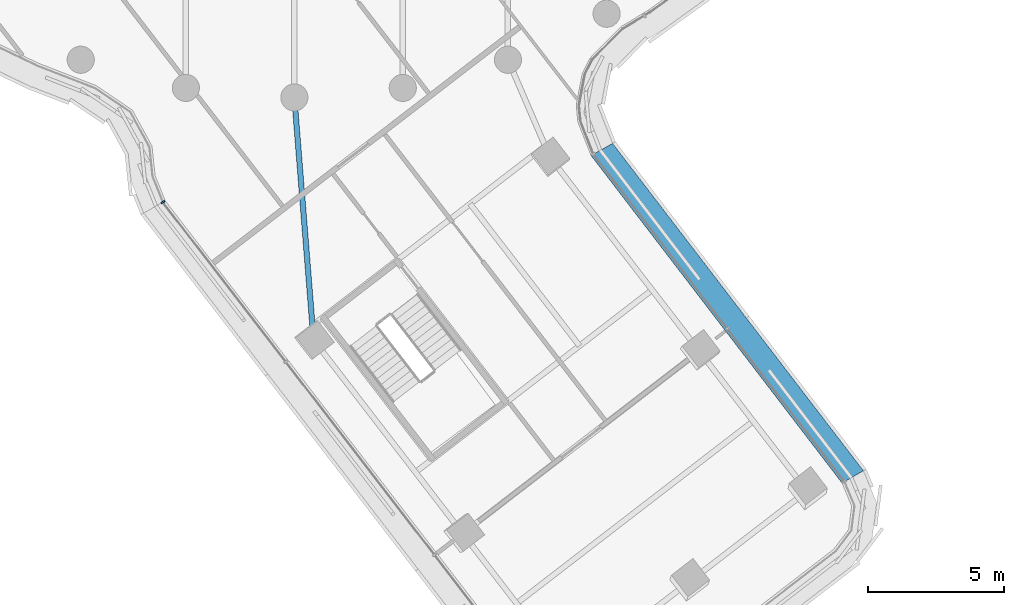
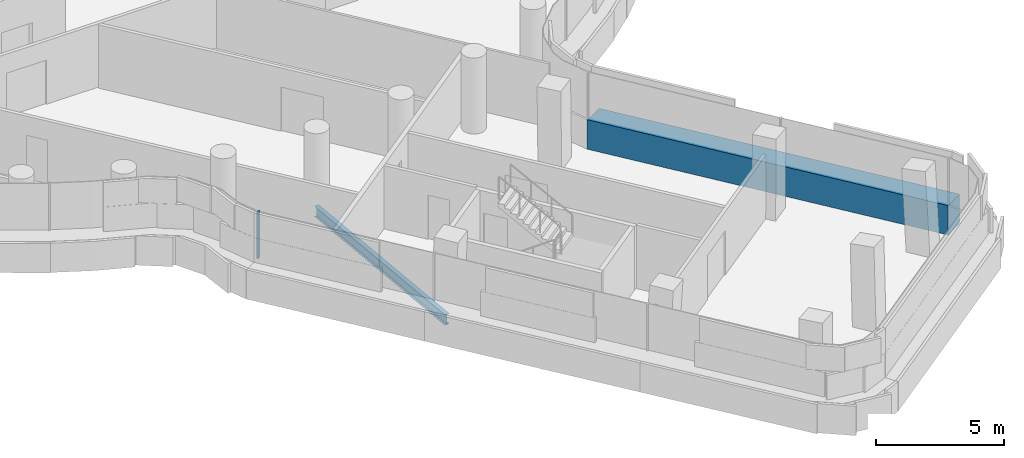
# One storey, part 5 of 33: 2 members, 1 beam, 2 elements without a shape of their own.
"""IFC4 building model written with IfcOpenShell, lengths in metres."""

from ifc_helpers import new_model, si_unit, direction, frame, origin, origin_2d, place, context, subcontext, project, spatial, polyline, rectangle, i_section, outline, extrude, material, layer, layer_set, material_profile, profile_set, type_object, element, aggregate, save


model = new_model("IFC4")

# Units and contexts
model_context = context("Model", 3, precision=1e-05, world=origin(), true_north=direction((0.0, 1.0)))
body_context = subcontext(model_context, "Body", "Model", "MODEL_VIEW")
ifc_project = project(units=[si_unit("LENGTHUNIT", "METRE"), si_unit("AREAUNIT", "SQUARE_METRE"), si_unit("VOLUMEUNIT", "CUBIC_METRE"), si_unit("PLANEANGLEUNIT", "RADIAN"), si_unit("MASSUNIT", "GRAM", prefix="KILO")], contexts=[model_context])

# Site, building, storey
site_placement = place(None, origin())
site = spatial("IfcSite", under=ifc_project, at=site_placement, CompositionType="ELEMENT")
building_placement = place(site_placement, origin())
building = spatial("IfcBuilding", under=site, at=building_placement, Name="Tamarind Cross Interchange Tower", CompositionType="ELEMENT")
storey_placement = place(building_placement, frame((0.0, 0.0, 170.5)))
storey = spatial("IfcBuildingStorey", under=building, at=storey_placement, Name="L42", CompositionType="ELEMENT", Elevation=170.5)

# Beam
ifc_material_1 = material(Name="Steel Q355B", Category="steel")
ifc_material_profile_1 = material_profile(ifc_material_1, i_section(OverallWidth=0.198974609375, OverallDepth=0.49609375, WebThickness=0.009033203125, FlangeThickness=0.013916015625, FilletRadius=0.012939453125, at=origin_2d()), Name="HN 496x199x9x14")
ifc_profile_set_1 = profile_set([ifc_material_profile_1], Name="Steel Q355B")
beam_type = type_object("IfcBeamType", Name="Composite beam HN 496x199x9x14 Q355B", PredefinedType="BEAM", material=ifc_profile_set_1)
beam_placement = place(storey_placement, frame((0.708740234375, -31.931640625, -0.387939453125), z_axis=(-0.079102976827, 0.996866449961, 0.0), x_axis=(-0.996866449961, -0.079102976827, 0.0)))
element("IfcBeam", 1, at=beam_placement, inside=storey, type_object=beam_type, Name="Beam S-linkem", PredefinedType="BEAM", context=body_context, shape_type="SweptSolid", body=[
    extrude(i_section(OverallWidth=0.198974609375, OverallDepth=0.49609375, WebThickness=0.009033203125, FlangeThickness=0.013916015625, FilletRadius=0.012939453125, at=origin_2d()), origin(), (0.0, 0.0, 1.0), 8.959716796875),
])

# Curtain wall, member
ifc_material_2 = material(Name="Aluminium 6063-T6", Category="aluminium")
ifc_layer = layer(ifc_material_2, 0.159912109375)
ifc_layer_set = layer_set([ifc_layer], Name="Aluminium 6063-T6")
curtain_wall_type = type_object("IfcCurtainWallType", Name="Office curtain wall, 9.0 m bays", PredefinedType="NOTDEFINED", material=ifc_layer_set)
curtain_wall_1_placement = place(storey_placement, origin())
curtain_wall_1 = element("IfcCurtainWall", 2, at=curtain_wall_1_placement, inside=storey, type_object=curtain_wall_type, Name="CWS-L42-13", PredefinedType="NOTDEFINED")
ifc_material_3 = material(Name="Aluminium and insulated spandrel panel", Category="aluminium")
member_type_1 = type_object("IfcMemberType", Name="Floor-edge blade transom", PredefinedType="USERDEFINED", material=ifc_material_3)
member_1_placement = place(storey_placement, origin())
member_1 = element("IfcMember", 3, at=member_1_placement, type_object=member_type_1, Name="CWT-L42-13", ObjectType="TRANSOM", PredefinedType="USERDEFINED", context=body_context, shape_type="SweptSolid", body=[
    extrude(outline(polyline([(20.173095703125, -37.205078125), (10.9267578125, -25.139892578125), (11.718017578125, -24.69287109375), (20.958740234375, -36.750732421875), (20.173095703125, -37.205078125)])), origin(), (0.0, 0.0, 1.0), 1.39990234375),
])
aggregate(curtain_wall_1, [member_1])

curtain_wall_2_placement = place(storey_placement, origin())
curtain_wall_2 = element("IfcCurtainWall", 4, at=curtain_wall_2_placement, inside=storey, type_object=curtain_wall_type, Name="CWS-L42-11", PredefinedType="NOTDEFINED")
ifc_material_profile_2 = material_profile(ifc_material_2, rectangle(XDim=0.06005859375, YDim=0.159912109375, at=origin_2d()), Name="Mullion CW1")
ifc_profile_set_2 = profile_set([ifc_material_profile_2], Name="Aluminium 6063-T6")
member_type_2 = type_object("IfcMemberType", Name="Mullion CW1", PredefinedType="MULLION", material=ifc_profile_set_2)
member_2_placement = place(storey_placement, frame((-4.841552734375, -26.85791015625, 1.39990234375), z_axis=(0.0, 0.0, 1.0), x_axis=(0.495910543231, -0.868373613781, 0.0)))
member_2 = element("IfcMember", 5, at=member_2_placement, type_object=member_type_2, Name="CWM-L42-11-00", PredefinedType="MULLION", context=body_context, shape_type="SweptSolid", body=[
    extrude(rectangle(XDim=0.06005859375, YDim=0.159912109375, at=origin_2d()), origin(), (0.0, 0.0, 1.0), 2.210205078125),
])
aggregate(curtain_wall_2, [member_2])

save(model, "model.ifc")
